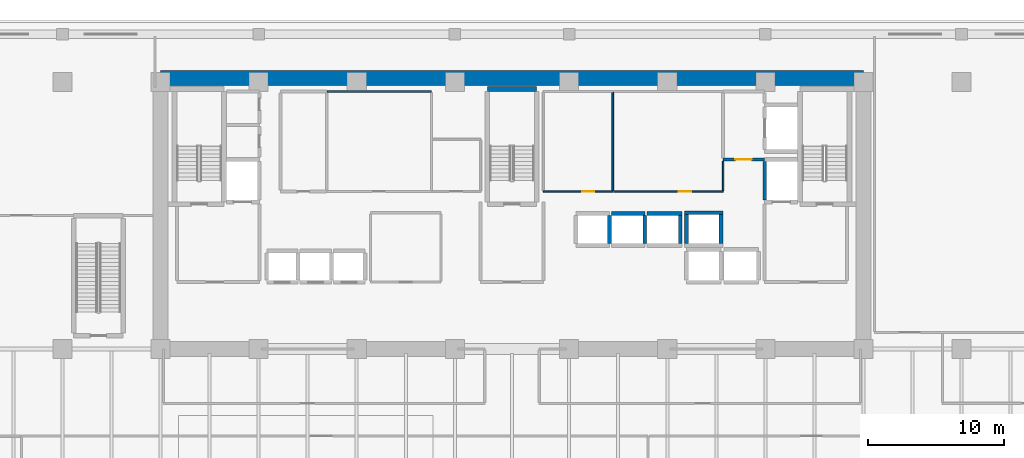
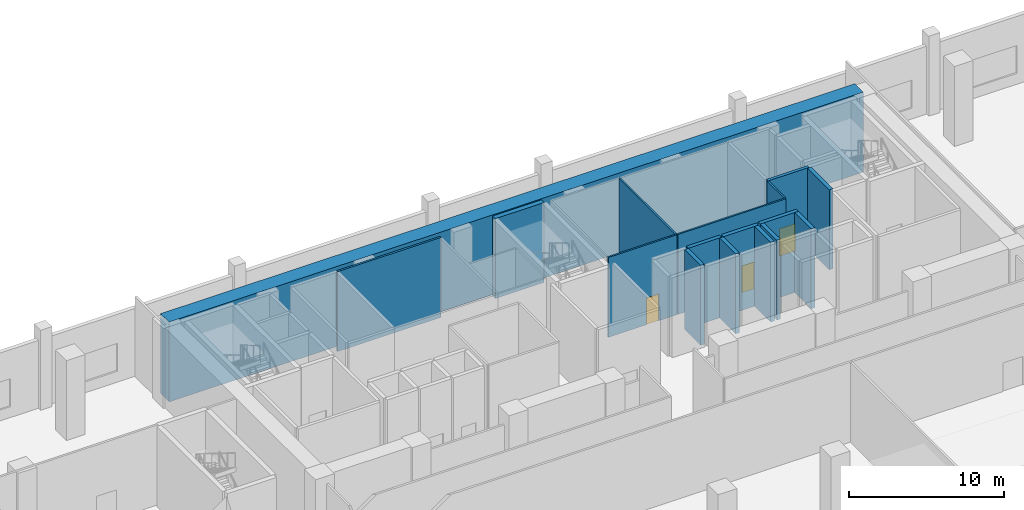
# One storey, part 23 of 29: 17 walls, 3 doors, 3 openings.
"""IFC4 building model written with IfcOpenShell, lengths in metres."""

from ifc_helpers import new_model, si_unit, direction, frame, frame_2d, origin, place, context, subcontext, project, spatial, rectangle, extrude, material, layer, layer_set, type_object, element, fill, save


model = new_model("IFC4")

# Units and contexts
model_context = context("Model", 3, precision=1e-05, world=origin(), true_north=direction((0.0, 1.0)))
body_context = subcontext(model_context, "Body", "Model", "MODEL_VIEW")
ifc_project = project(units=[si_unit("LENGTHUNIT", "METRE"), si_unit("AREAUNIT", "SQUARE_METRE"), si_unit("VOLUMEUNIT", "CUBIC_METRE"), si_unit("PLANEANGLEUNIT", "RADIAN"), si_unit("MASSUNIT", "GRAM", prefix="KILO")], contexts=[model_context])

# Site, building, storey
site_placement = place(None, origin())
site = spatial("IfcSite", under=ifc_project, at=site_placement, CompositionType="ELEMENT")
building_placement = place(site_placement, origin())
building = spatial("IfcBuilding", under=site, at=building_placement, Name="Kaelvorn Grand Hotel", CompositionType="ELEMENT")
storey_placement = place(building_placement, frame((0.0, 0.0, 19.39990234375)))
storey = spatial("IfcBuildingStorey", under=building, at=storey_placement, Name="L03", CompositionType="ELEMENT", Elevation=19.39990234375)

# Wall
ifc_material_1 = material(Name="Concrete C80/95", Category="concrete")
ifc_layer_1 = layer(ifc_material_1, 1.10009765625)
ifc_layer_set_1 = layer_set([ifc_layer_1], Name="Concrete C80/95")
wall_type_1 = type_object("IfcWallType", Name="WL-CORE-1100-C80", PredefinedType="SHEAR", material=ifc_layer_set_1)
wall_1_placement = place(storey_placement, frame((16.199951171875, 49.300048828125, 0.0), z_axis=(0.0, 0.0, 1.0), x_axis=(1.0, 0.0, 0.0)))
element("IfcWall", 1, at=wall_1_placement, inside=storey, type_object=wall_type_1, Name="L03 Rear-Core North Shear Wall", PredefinedType="SHEAR", context=body_context, shape_type="SweptSolid", body=[
    extrude(rectangle(XDim=51.60009765625, YDim=1.10009765625, at=frame_2d((25.800048828125, 0.0))), origin(), (0.0, 0.0, 1.0), 6.280029296875),
])

# Wall, opening, door
ifc_material_2 = material(Name="Moisture-Resistant Tile & Stud Board")
ifc_layer_2 = layer(ifc_material_2, 0.125)
ifc_layer_set_2 = layer_set([ifc_layer_2], Name="Moisture-Resistant Tile & Stud Board")
wall_type_2 = type_object("IfcWallType", Name="WL-PART-125-WET", PredefinedType="PARTITIONING", material=ifc_layer_set_2)
wall_2_placement = place(storey_placement, frame((44.300048828125, 40.949951171875, 0.0), z_axis=(0.0, 0.0, 1.0), x_axis=(1.0, 0.0, 0.0)))
wall_2 = element("IfcWall", 2, at=wall_2_placement, inside=storey, type_object=wall_type_2, Name="L03 Male Toilets S Partition", PredefinedType="PARTITIONING", context=body_context, shape_type="SweptSolid", body=[
    extrude(rectangle(XDim=5.099853515625, YDim=0.125, at=frame_2d((2.5498046875, 0.0))), origin(), (0.0, 0.0, 1.0), 6.280029296875),
])
opening_1_placement = place(wall_2_placement, frame((2.85009765625, 0.0, 0.0)))
opening_1 = element("IfcOpeningElement", 3, at=opening_1_placement, cuts=wall_2, Name="Opening DI4", PredefinedType="OPENING", context=body_context, shape_type="SweptSolid", body=[
    extrude(rectangle(XDim=0.89990234375, YDim=2.10009765625, at=frame_2d((0.449951171875, 1.050048828125))), frame((0.0, 0.072509765625, 0.0), z_axis=(0.0, -1.0, 0.0), x_axis=(1.0, 0.0, 0.0)), (0.0, 0.0, 1.0), 0.14501953125),
])
ifc_material_3 = material(Name="Timber Veneer Leaf", Category="wood")
door_type_1 = type_object("IfcDoorType", Name="DR-INT-BATH-900x2100", OperationType="NOTDEFINED", PredefinedType="DOOR", material=ifc_material_3)
door_1_placement = place(opening_1_placement, origin())
door_1 = element("IfcDoor", 4, at=door_1_placement, inside=storey, type_object=door_type_1, Name="L03 Male Toilets Door", OperationType="SINGLE_SWING_RIGHT", OverallHeight=2.10009765625, OverallWidth=0.89990234375, PredefinedType="DOOR", context=body_context, shape_type="SweptSolid", body=[
    extrude(rectangle(XDim=0.89990234375, YDim=2.10009765625, at=frame_2d((0.449951171875, 1.050048828125))), frame((0.0, 0.02490234375, 0.0), z_axis=(0.0, -1.0, 0.0), x_axis=(1.0, 0.0, 0.0)), (0.0, 0.0, 1.0), 0.050048828125),
])
fill(opening_1, door_1)

# Wall
wall_3_placement = place(storey_placement, frame((49.39990234375, 41.017578125, 0.0), z_axis=(0.0, 0.0, 1.0), x_axis=(0.0, 1.0, 0.0)))
element("IfcWall", 5, at=wall_3_placement, inside=storey, type_object=wall_type_2, Name="L03 Male Toilets E Partition", PredefinedType="PARTITIONING", context=body_context, shape_type="SweptSolid", body=[
    extrude(rectangle(XDim=7.21484375, YDim=0.125, at=frame_2d((3.607421875, 0.0))), origin(), (0.0, 0.0, 1.0), 6.280029296875),
])

# Wall, opening, door
wall_4_placement = place(storey_placement, frame((49.467529296875, 40.949951171875, 0.0), z_axis=(0.0, 0.0, 1.0), x_axis=(1.0, 0.0, 0.0)))
wall_4 = element("IfcWall", 6, at=wall_4_placement, inside=storey, type_object=wall_type_2, Name="L03 Female Toilets S Partition", PredefinedType="PARTITIONING", context=body_context, shape_type="SweptSolid", body=[
    extrude(rectangle(XDim=8.032470703125, YDim=0.125, at=frame_2d((4.01611328125, 0.0))), origin(), (0.0, 0.0, 1.0), 6.280029296875),
])
opening_2_placement = place(wall_4_placement, frame((4.782470703125, 0.0, 0.0)))
opening_2 = element("IfcOpeningElement", 7, at=opening_2_placement, cuts=wall_4, Name="Opening DI4", PredefinedType="OPENING", context=body_context, shape_type="SweptSolid", body=[
    extrude(rectangle(XDim=0.89990234375, YDim=2.10009765625, at=frame_2d((0.449951171875, 1.050048828125))), frame((0.0, 0.072509765625, 0.0), z_axis=(0.0, -1.0, 0.0), x_axis=(1.0, 0.0, 0.0)), (0.0, 0.0, 1.0), 0.14501953125),
])
door_2_placement = place(opening_2_placement, origin())
door_2 = element("IfcDoor", 8, at=door_2_placement, inside=storey, type_object=door_type_1, Name="L03 Female Toilets Door", OperationType="SINGLE_SWING_LEFT", OverallHeight=2.10009765625, OverallWidth=0.89990234375, PredefinedType="DOOR", context=body_context, shape_type="SweptSolid", body=[
    extrude(rectangle(XDim=0.89990234375, YDim=2.10009765625, at=frame_2d((0.449951171875, 1.050048828125))), frame((0.0, 0.02490234375, 0.0), z_axis=(0.0, -1.0, 0.0), x_axis=(1.0, 0.0, 0.0)), (0.0, 0.0, 1.0), 0.050048828125),
])
fill(opening_2, door_2)

# Walls
wall_5_placement = place(storey_placement, frame((57.5, 41.017578125, 0.0), z_axis=(0.0, 0.0, 1.0), x_axis=(0.0, 1.0, 0.0)))
element("IfcWall", 9, at=wall_5_placement, inside=storey, type_object=wall_type_2, Name="L03 Female Toilets E Partition", PredefinedType="PARTITIONING", context=body_context, shape_type="SweptSolid", body=[
    extrude(rectangle(XDim=2.16748046875, YDim=0.125, at=frame_2d((1.083740234375, 0.0))), origin(), (0.0, 0.0, 1.0), 6.280029296875),
])
ifc_material_4 = material(Name="Acoustic Gypsum & Stud Partition")
ifc_layer_3 = layer(ifc_material_4, 0.14990234375)
ifc_layer_set_3 = layer_set([ifc_layer_3], Name="Acoustic Gypsum & Stud Partition")
wall_type_3 = type_object("IfcWallType", Name="WL-PART-150-EI60", PredefinedType="PARTITIONING", material=ifc_layer_set_3)
wall_6_placement = place(storey_placement, frame((28.409912109375, 48.300048828125, 0.0), z_axis=(0.0, 0.0, 1.0), x_axis=(1.0, 0.0, 0.0)))
element("IfcWall", 10, at=wall_6_placement, inside=storey, type_object=wall_type_3, Name="L03 Central BOH Supply Store N Partition", PredefinedType="PARTITIONING", context=body_context, shape_type="SweptSolid", body=[
    extrude(rectangle(XDim=7.690185546875, YDim=0.14990234375, at=frame_2d((3.84521484375, 0.0))), origin(), (0.0, 0.0, 1.0), 6.280029296875),
])

# Wall, opening, door
ifc_material_5 = material(Name="Concrete C40/50", Category="concrete")
ifc_layer_4 = layer(ifc_material_5, 0.219970703125)
ifc_layer_set_4 = layer_set([ifc_layer_4], Name="Concrete C40/50")
wall_type_4 = type_object("IfcWallType", Name="WL-PART-220-EI120", PredefinedType="PARTITIONING", material=ifc_layer_set_4)
wall_7_placement = place(storey_placement, frame((57.5, 43.300048828125, 0.0), z_axis=(0.0, 0.0, 1.0), x_axis=(1.0, 0.0, 0.0)))
wall_7 = element("IfcWall", 11, at=wall_7_placement, inside=storey, type_object=wall_type_4, Name="L03 Service Lift Lobby S Partition", PredefinedType="PARTITIONING", context=body_context, shape_type="SweptSolid", body=[
    extrude(rectangle(XDim=3.0400390625, YDim=0.219970703125, at=frame_2d((1.52001953125, 0.0))), origin(), (0.0, 0.0, 1.0), 6.280029296875),
])
opening_3_placement = place(wall_7_placement, frame((0.89990234375, 0.0, 0.0)))
opening_3 = element("IfcOpeningElement", 12, at=opening_3_placement, cuts=wall_7, Name="Opening DI2", PredefinedType="OPENING", context=body_context, shape_type="SweptSolid", body=[
    extrude(rectangle(XDim=1.199951171875, YDim=2.14990234375, at=frame_2d((0.60009765625, 1.074951171875))), frame((0.0, 0.1201171875, 0.0), z_axis=(0.0, -1.0, 0.0), x_axis=(1.0, 0.0, 0.0)), (0.0, 0.0, 1.0), 0.239990234375),
])
ifc_material_6 = material(Name="Timber Veneer Fire Leaf", Category="wood")
door_type_2 = type_object("IfcDoorType", Name="DR-INT-FFLOB-1200x2150", OperationType="NOTDEFINED", PredefinedType="DOOR", material=ifc_material_6)
door_3_placement = place(opening_3_placement, origin())
door_3 = element("IfcDoor", 13, at=door_3_placement, inside=storey, type_object=door_type_2, Name="L03 Service Lift Lobby Door", OperationType="SINGLE_SWING_LEFT", OverallHeight=2.14990234375, OverallWidth=1.199951171875, PredefinedType="DOOR", context=body_context, shape_type="SweptSolid", body=[
    extrude(rectangle(XDim=1.199951171875, YDim=2.14990234375, at=frame_2d((0.60009765625, 1.074951171875))), frame((0.0, 0.02490234375, 0.0), z_axis=(0.0, -1.0, 0.0), x_axis=(1.0, 0.0, 0.0)), (0.0, 0.0, 1.0), 0.050048828125),
])
fill(opening_3, door_3)

# Walls
ifc_material_7 = material(Name="Concrete C50/60", Category="concrete")
ifc_layer_5 = layer(ifc_material_7, 0.280029296875)
ifc_layer_set_5 = layer_set([ifc_layer_5], Name="Concrete C50/60")
wall_type_5 = type_object("IfcWallType", Name="WL-SHAFT-280-C50", PredefinedType="SHEAR", material=ifc_layer_set_5)
wall_8_placement = place(storey_placement, frame((49.14990234375, 37.14501953125, 0.0), z_axis=(0.0, 0.0, 1.0), x_axis=(0.0, 1.0, 0.0)))
element("IfcWall", 14, at=wall_8_placement, inside=storey, type_object=wall_type_5, Name="L03 Lift SL-1 Shaft East Wall", PredefinedType="SHEAR", context=body_context, shape_type="SweptSolid", body=[
    extrude(rectangle(XDim=2.06005859375, YDim=0.280029296875, at=frame_2d((1.030029296875, 0.0))), origin(), (0.0, 0.0, 1.0), 6.280029296875),
])
wall_9_placement = place(storey_placement, frame((49.300048828125, 39.35009765625, 0.0), z_axis=(0.0, 0.0, 1.0), x_axis=(1.0, 0.0, 0.0)))
element("IfcWall", 15, at=wall_9_placement, inside=storey, type_object=wall_type_5, Name="L03 Lift SL-2 Shaft North Wall", PredefinedType="SHEAR", context=body_context, shape_type="SweptSolid", body=[
    extrude(rectangle(XDim=2.449951171875, YDim=0.280029296875, at=frame_2d((1.22509765625, 0.0))), origin(), (0.0, 0.0, 1.0), 6.280029296875),
])
wall_10_placement = place(storey_placement, frame((51.75, 37.14501953125, 0.0), z_axis=(0.0, 0.0, 1.0), x_axis=(0.0, 1.0, 0.0)))
element("IfcWall", 16, at=wall_10_placement, inside=storey, type_object=wall_type_5, Name="L03 Lift SL-2 Shaft East Wall", PredefinedType="SHEAR", context=body_context, shape_type="SweptSolid", body=[
    extrude(rectangle(XDim=2.06005859375, YDim=0.280029296875, at=frame_2d((1.030029296875, 0.0))), origin(), (0.0, 0.0, 1.0), 6.280029296875),
])
wall_11_placement = place(storey_placement, frame((51.89990234375, 39.35009765625, 0.0), z_axis=(0.0, 0.0, 1.0), x_axis=(1.0, 0.0, 0.0)))
element("IfcWall", 17, at=wall_11_placement, inside=storey, type_object=wall_type_5, Name="L03 Lift SL-3 Shaft North Wall", PredefinedType="SHEAR", context=body_context, shape_type="SweptSolid", body=[
    extrude(rectangle(XDim=2.590087890625, YDim=0.280029296875, at=frame_2d((1.294921875, 0.0))), origin(), (0.0, 0.0, 1.0), 6.280029296875),
])
wall_12_placement = place(storey_placement, frame((54.35009765625, 37.14501953125, 0.0), z_axis=(0.0, 0.0, 1.0), x_axis=(0.0, 1.0, 0.0)))
element("IfcWall", 18, at=wall_12_placement, inside=storey, type_object=wall_type_5, Name="L03 Lift SL-3 Shaft East Wall", PredefinedType="SHEAR", context=body_context, shape_type="SweptSolid", body=[
    extrude(rectangle(XDim=2.06005859375, YDim=0.280029296875, at=frame_2d((1.030029296875, 0.0))), origin(), (0.0, 0.0, 1.0), 6.280029296875),
])
wall_13_placement = place(storey_placement, frame((54.659912109375, 39.39990234375, 0.0), z_axis=(0.0, 0.0, 1.0), x_axis=(1.0, 0.0, 0.0)))
element("IfcWall", 19, at=wall_13_placement, inside=storey, type_object=wall_type_5, Name="L03 Lift OL-3 Shaft North Wall", PredefinedType="SHEAR", context=body_context, shape_type="SweptSolid", body=[
    extrude(rectangle(XDim=2.830078125, YDim=0.280029296875, at=frame_2d((1.4150390625, 0.0))), origin(), (0.0, 0.0, 1.0), 6.280029296875),
])
for number, where, z_axis, x_axis, name in (
    (20, (54.800048828125, 37.14501953125, 0.0), (0.0, 0.0, 1.0), (0.0, 1.0, 0.0), "L03 Lift OL-3 Shaft West Wall"),
    (21, (57.35009765625, 37.14501953125, 0.0), (0.0, 0.0, 1.0), (0.0, 1.0, 0.0), "L03 Lift OL-3 Shaft East Wall"),
):
    element("IfcWall", number, at=place(storey_placement, frame(where, z_axis=z_axis, x_axis=x_axis)), inside=storey, type_object=wall_type_5, Name=name, PredefinedType="SHEAR", context=body_context, shape_type="SweptSolid", body=[
        extrude(rectangle(XDim=2.10986328125, YDim=0.280029296875, at=frame_2d((1.054931640625, 0.0))), origin(), (0.0, 0.0, 1.0), 6.280029296875),
    ])
wall_14_placement = place(storey_placement, frame((60.550048828125, 40.344970703125, 0.0), z_axis=(0.0, 0.0, 1.0), x_axis=(0.0, 1.0, 0.0)))
element("IfcWall", 22, at=wall_14_placement, inside=storey, type_object=wall_type_5, Name="L03 Lift FFL2 Shaft West Wall", PredefinedType="SHEAR", context=body_context, shape_type="SweptSolid", body=[
    extrude(rectangle(XDim=2.81005859375, YDim=0.280029296875, at=frame_2d((1.405029296875, 0.0))), origin(), (0.0, 0.0, 1.0), 6.280029296875),
])
ifc_material_8 = material(Name="Concrete C60/75", Category="concrete")
ifc_layer_6 = layer(ifc_material_8, 0.35009765625)
ifc_layer_set_6 = layer_set([ifc_layer_6], Name="Concrete C60/75")
wall_type_6 = type_object("IfcWallType", Name="WL-SHAFT-350-C60", PredefinedType="SHEAR", material=ifc_layer_set_6)
wall_15_placement = place(storey_placement, frame((40.18505859375, 48.47509765625, 0.0), z_axis=(0.0, 0.0, 1.0), x_axis=(1.0, 0.0, 0.0)))
element("IfcWall", 23, at=wall_15_placement, inside=storey, type_object=wall_type_6, Name="L03 ST2 Stair Shaft North Wall", PredefinedType="SHEAR", context=body_context, shape_type="SweptSolid", body=[
    extrude(rectangle(XDim=3.6298828125, YDim=0.35009765625, at=frame_2d((1.81494140625, 0.0))), origin(), (0.0, 0.0, 1.0), 6.280029296875),
])

save(model, "model.ifc")
